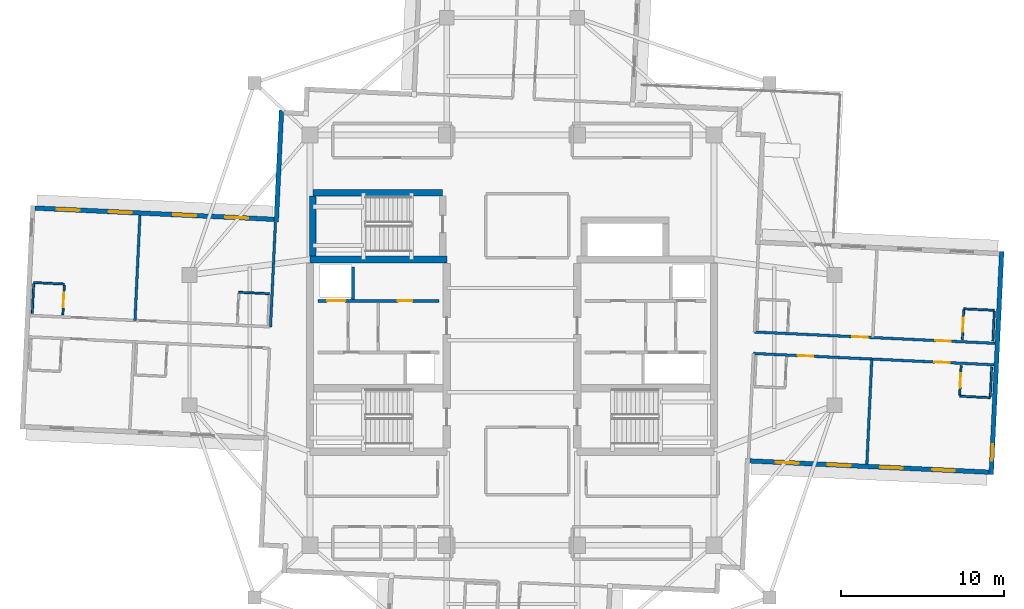
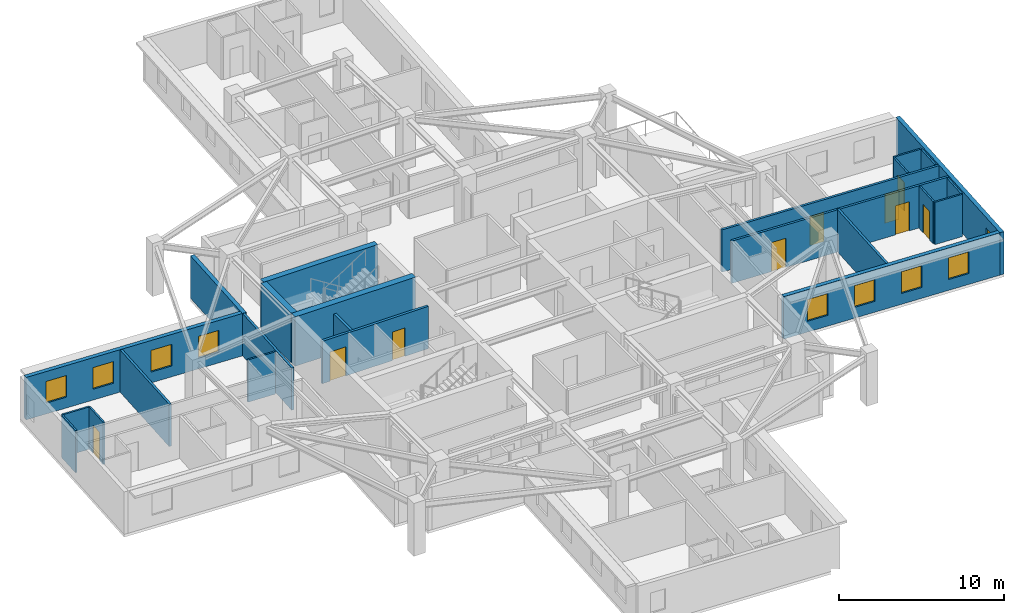
# One storey, part 6 of 13: 24 walls, 9 doors, 9 windows, 18 openings.
"""IFC4 building model written with IfcOpenShell, lengths in metres."""

from ifc_helpers import new_model, si_unit, direction, frame, frame_2d, origin, place, context, subcontext, project, spatial, rectangle, extrude, material, layer, layer_set, type_object, element, fill, save


model = new_model("IFC4")

# Units and contexts
model_context = context("Model", 3, precision=1e-05, world=origin(), true_north=direction((0.0, 1.0)))
body_context = subcontext(model_context, "Body", "Model", "MODEL_VIEW")
ifc_project = project(units=[si_unit("LENGTHUNIT", "METRE"), si_unit("AREAUNIT", "SQUARE_METRE"), si_unit("VOLUMEUNIT", "CUBIC_METRE"), si_unit("PLANEANGLEUNIT", "RADIAN"), si_unit("MASSUNIT", "GRAM", prefix="KILO")], contexts=[model_context])

# Site, building, storey
site_placement = place(None, origin())
site = spatial("IfcSite", under=ifc_project, at=site_placement, CompositionType="ELEMENT")
building_placement = place(site_placement, origin())
building = spatial("IfcBuilding", under=site, at=building_placement, Name="Qingluan Cross Belvedere", CompositionType="ELEMENT")
storey_placement = place(building_placement, frame((0.0, 0.0, 236.39990234375)))
storey = spatial("IfcBuildingStorey", under=building, at=storey_placement, Name="L59", CompositionType="ELEMENT", Elevation=236.39990234375)

# Walls
ifc_material_1 = material(Name="Concrete C50", Category="concrete")
ifc_layer_1 = layer(ifc_material_1, 0.449951171875, Name="CoreShearWall_450")
ifc_layer_set_1 = layer_set([ifc_layer_1], Name="Concrete C50")
wall_type_1 = type_object("IfcWallType", Name="CoreShearWall_450", PredefinedType="SHEAR", material=ifc_layer_set_1)
wall_1_placement = place(storey_placement, frame((-12.39990234375, 4.949951171875, 0.0), z_axis=(0.0, 0.0, 1.0), x_axis=(1.0, 0.0, 0.0)))
element("IfcWall", 1, at=wall_1_placement, inside=storey, type_object=wall_type_1, Name="Split core W shear wall L59-N", PredefinedType="SHEAR", context=body_context, shape_type="SweptSolid", body=[
    extrude(rectangle(XDim=8.39990234375, YDim=0.449951171875, at=frame_2d((4.199951171875, 0.0))), origin(), (0.0, 0.0, 1.0), 3.650146484375),
])
wall_2_placement = place(storey_placement, frame((-12.219970703125, 9.0400390625, 0.0), z_axis=(0.0, 0.0, 1.0), x_axis=(1.0, 0.0, 0.0)))
element("IfcWall", 2, at=wall_2_placement, inside=storey, type_object=wall_type_1, Name="Stair ST3 structural wall N L59", PredefinedType="SHEAR", context=body_context, shape_type="SweptSolid", body=[
    extrude(rectangle(XDim=7.9599609375, YDim=0.39990234375, at=frame_2d((3.97998046875, 0.0))), origin(), (0.0, 0.0, 1.0), 3.650146484375),
])
wall_3_placement = place(storey_placement, frame((-12.219970703125, 5.179931640625, 0.0), z_axis=(0.0, 0.0, 1.0), x_axis=(0.0, 1.0, 0.0)))
element("IfcWall", 3, at=wall_3_placement, inside=storey, type_object=wall_type_1, Name="Stair ST3 structural wall W L59", PredefinedType="SHEAR", context=body_context, shape_type="SweptSolid", body=[
    extrude(rectangle(XDim=3.655029296875, YDim=0.39990234375, at=frame_2d((1.82763671875, 0.0))), origin(), (0.0, 0.0, 1.0), 3.650146484375),
])

# Wall, openings, doors
ifc_material_2 = material(Name="Gypsum plasterboard on steel stud acoustic partition", Category="steel")
ifc_layer_2 = layer(ifc_material_2, 0.159912109375, Name="CorridorPartition_160")
ifc_layer_set_2 = layer_set([ifc_layer_2], Name="Gypsum plasterboard on steel stud acoustic partition")
wall_type_2 = type_object("IfcWallType", Name="CorridorPartition_160", PredefinedType="PARTITIONING", material=ifc_layer_set_2)
wall_4_placement = place(storey_placement, frame((14.889892578125, 0.4990234375, 0.0), z_axis=(0.0, 0.0, 1.0), x_axis=(0.99889000272, -0.04710374153, 0.0)))
wall_4 = element("IfcWall", 4, at=wall_4_placement, inside=storey, type_object=wall_type_2, Name="Partition L59:E:c0", PredefinedType="PARTITIONING", context=body_context, shape_type="SweptSolid", body=[
    extrude(rectangle(XDim=14.781982421875, YDim=0.159912109375, at=frame_2d((7.39111328125, 0.0))), origin(), (0.0, 0.0, 1.0), 3.1201171875),
])
opening_1_placement = place(wall_4_placement, frame((6.013916015625, 0.0, 0.0)))
opening_1 = element("IfcOpeningElement", 5, at=opening_1_placement, cuts=wall_4, Name="Opening GD-10", PredefinedType="OPENING", context=body_context, shape_type="SweptSolid", body=[
    extrude(rectangle(XDim=0.9599609375, YDim=2.14990234375, at=frame_2d((0.47998046875, 1.074951171875))), frame((0.0, 0.08984375, 0.0), z_axis=(0.0, -1.0, 0.0), x_axis=(1.0, 0.0, 0.0)), (0.0, 0.0, 1.0), 0.179931640625),
])
opening_2_placement = place(wall_4_placement, frame((11.115966796875, 0.0, 0.0)))
opening_2 = element("IfcOpeningElement", 6, at=opening_2_placement, cuts=wall_4, Name="Opening GD-10", PredefinedType="OPENING", context=body_context, shape_type="SweptSolid", body=[
    extrude(rectangle(XDim=0.9599609375, YDim=2.14990234375, at=frame_2d((0.47998046875, 1.074951171875))), frame((0.0, 0.08984375, 0.0), z_axis=(0.0, -1.0, 0.0), x_axis=(1.0, 0.0, 0.0)), (0.0, 0.0, 1.0), 0.179931640625),
])
ifc_material_3 = material(Name="Timber oak fire-rated acoustic guestroom door", Category="wood")
door_type_1 = type_object("IfcDoorType", Name="GuestEntryDoor_FD60", OperationType="NOTDEFINED", PredefinedType="DOOR", material=ifc_material_3)
door_1_placement = place(opening_1_placement, origin())
door_1 = element("IfcDoor", 7, at=door_1_placement, inside=storey, type_object=door_type_1, Name="Guest entry fire door 5901", OperationType="SINGLE_SWING_RIGHT", OverallHeight=2.14990234375, OverallWidth=0.9599609375, PredefinedType="DOOR", context=body_context, shape_type="SweptSolid", body=[
    extrude(rectangle(XDim=0.9599609375, YDim=2.14990234375, at=frame_2d((0.47998046875, 1.074951171875))), frame((0.0, 0.02490234375, 0.0), z_axis=(0.0, -1.0, 0.0), x_axis=(1.0, 0.0, 0.0)), (0.0, 0.0, 1.0), 0.050048828125),
])
fill(opening_1, door_1)
door_2_placement = place(opening_2_placement, origin())
door_2 = element("IfcDoor", 8, at=door_2_placement, inside=storey, type_object=door_type_1, Name="Guest entry fire door 5902", OperationType="SINGLE_SWING_RIGHT", OverallHeight=2.14990234375, OverallWidth=0.9599609375, PredefinedType="DOOR", context=body_context, shape_type="SweptSolid", body=[
    extrude(rectangle(XDim=0.9599609375, YDim=2.14990234375, at=frame_2d((0.47998046875, 1.074951171875))), frame((0.0, 0.02490234375, 0.0), z_axis=(0.0, -1.0, 0.0), x_axis=(1.0, 0.0, 0.0)), (0.0, 0.0, 1.0), 0.050048828125),
])
fill(opening_2, door_2)

wall_5_placement = place(storey_placement, frame((14.827880859375, -0.8193359375, 0.0), z_axis=(0.0, 0.0, 1.0), x_axis=(0.99889000272, -0.04710374153, 0.0)))
wall_5 = element("IfcWall", 9, at=wall_5_placement, inside=storey, type_object=wall_type_2, Name="Partition L59:E:c1", PredefinedType="PARTITIONING", context=body_context, shape_type="SweptSolid", body=[
    extrude(rectangle(XDim=14.781982421875, YDim=0.159912109375, at=frame_2d((7.39111328125, 0.0))), origin(), (0.0, 0.0, 1.0), 3.1201171875),
])
opening_3_placement = place(wall_5_placement, frame((2.70703125, 0.0, 0.0)))
opening_3 = element("IfcOpeningElement", 10, at=opening_3_placement, cuts=wall_5, Name="Opening GD-10", PredefinedType="OPENING", context=body_context, shape_type="SweptSolid", body=[
    extrude(rectangle(XDim=0.9599609375, YDim=2.14990234375, at=frame_2d((0.47998046875, 1.074951171875))), frame((0.0, 0.08984375, 0.0), z_axis=(0.0, -1.0, 0.0), x_axis=(1.0, 0.0, 0.0)), (0.0, 0.0, 1.0), 0.179931640625),
])
opening_4_placement = place(wall_5_placement, frame((11.115966796875, 0.0, 0.0)))
opening_4 = element("IfcOpeningElement", 11, at=opening_4_placement, cuts=wall_5, Name="Opening GD-10", PredefinedType="OPENING", context=body_context, shape_type="SweptSolid", body=[
    extrude(rectangle(XDim=0.9599609375, YDim=2.14990234375, at=frame_2d((0.47998046875, 1.074951171875))), frame((0.0, 0.08984375, 0.0), z_axis=(0.0, -1.0, 0.0), x_axis=(1.0, 0.0, 0.0)), (0.0, 0.0, 1.0), 0.179931640625),
])
door_3_placement = place(opening_3_placement, origin())
door_3 = element("IfcDoor", 12, at=door_3_placement, inside=storey, type_object=door_type_1, Name="Guest entry fire door 5903", OperationType="SINGLE_SWING_RIGHT", OverallHeight=2.14990234375, OverallWidth=0.9599609375, PredefinedType="DOOR", context=body_context, shape_type="SweptSolid", body=[
    extrude(rectangle(XDim=0.9599609375, YDim=2.14990234375, at=frame_2d((0.47998046875, 1.074951171875))), frame((0.0, 0.02490234375, 0.0), z_axis=(0.0, -1.0, 0.0), x_axis=(1.0, 0.0, 0.0)), (0.0, 0.0, 1.0), 0.050048828125),
])
fill(opening_3, door_3)
door_4_placement = place(opening_4_placement, origin())
door_4 = element("IfcDoor", 13, at=door_4_placement, inside=storey, type_object=door_type_1, Name="Guest entry fire door 5904", OperationType="SINGLE_SWING_RIGHT", OverallHeight=2.14990234375, OverallWidth=0.9599609375, PredefinedType="DOOR", context=body_context, shape_type="SweptSolid", body=[
    extrude(rectangle(XDim=0.9599609375, YDim=2.14990234375, at=frame_2d((0.47998046875, 1.074951171875))), frame((0.0, 0.02490234375, 0.0), z_axis=(0.0, -1.0, 0.0), x_axis=(1.0, 0.0, 0.0)), (0.0, 0.0, 1.0), 0.050048828125),
])
fill(opening_4, door_4)

# Walls
wall_6_placement = place(storey_placement, frame((22.09375, -1.162109375, 0.0), z_axis=(0.0, 0.0, 1.0), x_axis=(-0.047110298825, -0.998889693482, 0.0)))
element("IfcWall", 14, at=wall_6_placement, inside=storey, type_object=wall_type_2, Name="Partition L59:E:d1_0", PredefinedType="PARTITIONING", context=body_context, shape_type="SweptSolid", body=[
    extrude(rectangle(XDim=6.451904296875, YDim=0.159912109375, at=frame_2d((3.22607421875, 0.0))), origin(), (0.0, 0.0, 1.0), 3.1201171875),
])
wall_7_placement = place(storey_placement, frame((-14.827880859375, 0.8193359375, 0.0), z_axis=(0.0, 0.0, 1.0), x_axis=(0.047108518237, 0.998889777458, 0.0)))
element("IfcWall", 15, at=wall_7_placement, inside=storey, type_object=wall_type_2, Name="Partition L59:W:s0", PredefinedType="PARTITIONING", context=body_context, shape_type="SweptSolid", body=[
    extrude(rectangle(XDim=6.4521484375, YDim=0.159912109375, at=frame_2d((3.22607421875, 0.0))), origin(), (0.0, 0.0, 1.0), 3.1201171875),
])
wall_8_placement = place(storey_placement, frame((-23.149658203125, 1.2119140625, 0.0), z_axis=(0.0, 0.0, 1.0), x_axis=(0.047110298825, 0.998889693482, 0.0)))
element("IfcWall", 16, at=wall_8_placement, inside=storey, type_object=wall_type_2, Name="Partition L59:W:d0_0", PredefinedType="PARTITIONING", context=body_context, shape_type="SweptSolid", body=[
    extrude(rectangle(XDim=6.451904296875, YDim=0.159912109375, at=frame_2d((3.22607421875, 0.0))), origin(), (0.0, 0.0, 1.0), 3.1201171875),
])

# Wall, opening, door
ifc_material_4 = material(Name="Moisture-resistant gypsum board lining")
ifc_layer_3 = layer(ifc_material_4, 0.1201171875, Name="EnsuiteWetPartition_120")
ifc_layer_set_3 = layer_set([ifc_layer_3], Name="Moisture-resistant gypsum board lining")
wall_type_3 = type_object("IfcWallType", Name="EnsuiteWetPartition_120", PredefinedType="PARTITIONING", material=ifc_layer_set_3)
wall_9_placement = place(storey_placement, frame((27.652587890625, 0.037353515625, 0.0), z_axis=(0.0, 0.0, 1.0), x_axis=(0.047080807099, 0.998891083954, 0.0)))
wall_9 = element("IfcWall", 17, at=wall_9_placement, inside=storey, type_object=wall_type_3, Name="Partition L59:E:bs0_1", PredefinedType="PARTITIONING", context=body_context, shape_type="SweptSolid", body=[
    extrude(rectangle(XDim=1.820068359375, YDim=0.1201171875, at=frame_2d((0.91015625, 0.0))), origin(), (0.0, 0.0, 1.0), 3.1201171875),
])
opening_5_placement = place(wall_9_placement, frame((0.469970703125, 0.0, 0.0)))
opening_5 = element("IfcOpeningElement", 18, at=opening_5_placement, cuts=wall_9, Name="Opening BD-09", PredefinedType="OPENING", context=body_context, shape_type="SweptSolid", body=[
    extrude(rectangle(XDim=0.8798828125, YDim=2.10009765625, at=frame_2d((0.43994140625, 1.050048828125))), frame((0.0, 0.070068359375, 0.0), z_axis=(0.0, -1.0, 0.0), x_axis=(1.0, 0.0, 0.0)), (0.0, 0.0, 1.0), 0.14013671875),
])
ifc_material_5 = material(Name="Moisture-sealed timber en-suite door", Category="wood")
door_type_2 = type_object("IfcDoorType", Name="BathroomDoor_880", OperationType="NOTDEFINED", PredefinedType="DOOR", material=ifc_material_5)
door_5_placement = place(opening_5_placement, origin())
door_5 = element("IfcDoor", 19, at=door_5_placement, inside=storey, type_object=door_type_2, Name="Bathroom door 5902", OperationType="SINGLE_SWING_LEFT", OverallHeight=2.10009765625, OverallWidth=0.8798828125, PredefinedType="DOOR", context=body_context, shape_type="SweptSolid", body=[
    extrude(rectangle(XDim=0.8798828125, YDim=2.10009765625, at=frame_2d((0.43994140625, 1.050048828125))), frame((0.0, 0.02490234375, 0.0), z_axis=(0.0, -1.0, 0.0), x_axis=(1.0, 0.0, 0.0)), (0.0, 0.0, 1.0), 0.050048828125),
])
fill(opening_5, door_5)

# Walls
wall_10_placement = place(storey_placement, frame((29.530517578125, -0.051025390625, 0.0), z_axis=(0.0, 0.0, 1.0), x_axis=(0.047087116047, 0.998890786574, 0.0)))
element("IfcWall", 20, at=wall_10_placement, inside=storey, type_object=wall_type_3, Name="Partition L59:E:bw0_1", PredefinedType="PARTITIONING", context=body_context, shape_type="SweptSolid", body=[
    extrude(rectangle(XDim=1.81982421875, YDim=0.1201171875, at=frame_2d((0.909912109375, 0.0))), origin(), (0.0, 0.0, 1.0), 3.1201171875),
])
wall_11_placement = place(storey_placement, frame((27.7412109375, 1.92041015625, 0.0), z_axis=(0.0, 0.0, 1.0), x_axis=(0.998888319371, -0.047139425368, 0.0)))
element("IfcWall", 21, at=wall_11_placement, inside=storey, type_object=wall_type_3, Name="Partition L59:E:bn0_1", PredefinedType="PARTITIONING", context=body_context, shape_type="SweptSolid", body=[
    extrude(rectangle(XDim=1.880126953125, YDim=0.1201171875, at=frame_2d((0.93994140625, 0.0))), origin(), (0.0, 0.0, 1.0), 3.1201171875),
])

# Wall, opening, door
wall_12_placement = place(storey_placement, frame((27.491455078125, -3.37890625, 0.0), z_axis=(0.0, 0.0, 1.0), x_axis=(0.047080807099, 0.998891083954, 0.0)))
wall_12 = element("IfcWall", 22, at=wall_12_placement, inside=storey, type_object=wall_type_3, Name="Partition L59:E:bs1_1", PredefinedType="PARTITIONING", context=body_context, shape_type="SweptSolid", body=[
    extrude(rectangle(XDim=1.820068359375, YDim=0.1201171875, at=frame_2d((0.91015625, 0.0))), origin(), (0.0, 0.0, 1.0), 3.1201171875),
])
opening_6_placement = place(wall_12_placement, frame((0.469970703125, 0.0, 0.0)))
opening_6 = element("IfcOpeningElement", 23, at=opening_6_placement, cuts=wall_12, Name="Opening BD-09", PredefinedType="OPENING", context=body_context, shape_type="SweptSolid", body=[
    extrude(rectangle(XDim=0.8798828125, YDim=2.10009765625, at=frame_2d((0.43994140625, 1.050048828125))), frame((0.0, 0.070068359375, 0.0), z_axis=(0.0, -1.0, 0.0), x_axis=(1.0, 0.0, 0.0)), (0.0, 0.0, 1.0), 0.14013671875),
])
door_6_placement = place(opening_6_placement, origin())
door_6 = element("IfcDoor", 24, at=door_6_placement, inside=storey, type_object=door_type_2, Name="Bathroom door 5904", OperationType="SINGLE_SWING_LEFT", OverallHeight=2.10009765625, OverallWidth=0.8798828125, PredefinedType="DOOR", context=body_context, shape_type="SweptSolid", body=[
    extrude(rectangle(XDim=0.8798828125, YDim=2.10009765625, at=frame_2d((0.43994140625, 1.050048828125))), frame((0.0, 0.02490234375, 0.0), z_axis=(0.0, -1.0, 0.0), x_axis=(1.0, 0.0, 0.0)), (0.0, 0.0, 1.0), 0.050048828125),
])
fill(opening_6, door_6)

# Walls
wall_13_placement = place(storey_placement, frame((29.369384765625, -3.46728515625, 0.0), z_axis=(0.0, 0.0, 1.0), x_axis=(0.047087116047, 0.998890786574, 0.0)))
element("IfcWall", 25, at=wall_13_placement, inside=storey, type_object=wall_type_3, Name="Partition L59:E:bw1_1", PredefinedType="PARTITIONING", context=body_context, shape_type="SweptSolid", body=[
    extrude(rectangle(XDim=1.81982421875, YDim=0.1201171875, at=frame_2d((0.909912109375, 0.0))), origin(), (0.0, 0.0, 1.0), 3.1201171875),
])
for number, where, z_axis, x_axis, name in (
    (26, (27.48828125, -3.443603515625, 0.0), (0.0, 0.0, 1.0), (0.998888319371, -0.047139425368, 0.0), "Partition L59:E:bc1_1"),
    (27, (-14.892333984375, 2.849609375, 0.0), (0.0, 0.0, 1.0), (-0.998888319371, 0.047139425368, 0.0), "Partition L59:W:bn0_0"),
):
    element("IfcWall", number, at=place(storey_placement, frame(where, z_axis=z_axis, x_axis=x_axis)), inside=storey, type_object=wall_type_3, Name=name, PredefinedType="PARTITIONING", context=body_context, shape_type="SweptSolid", body=[
        extrude(rectangle(XDim=1.880126953125, YDim=0.1201171875, at=frame_2d((0.93994140625, 0.0))), origin(), (0.0, 0.0, 1.0), 3.1201171875),
    ])

# Wall, opening, door
wall_14_placement = place(storey_placement, frame((-27.5771484375, 1.560791015625, 0.0), z_axis=(0.0, 0.0, 1.0), x_axis=(0.047080807099, 0.998891083954, 0.0)))
wall_14 = element("IfcWall", 28, at=wall_14_placement, inside=storey, type_object=wall_type_3, Name="Partition L59:W:bs0_1", PredefinedType="PARTITIONING", context=body_context, shape_type="SweptSolid", body=[
    extrude(rectangle(XDim=1.820068359375, YDim=0.1201171875, at=frame_2d((0.91015625, 0.0))), origin(), (0.0, 0.0, 1.0), 3.1201171875),
])
opening_7_placement = place(wall_14_placement, frame((0.469970703125, 0.0, 0.0)))
opening_7 = element("IfcOpeningElement", 29, at=opening_7_placement, cuts=wall_14, Name="Opening BD-09", PredefinedType="OPENING", context=body_context, shape_type="SweptSolid", body=[
    extrude(rectangle(XDim=0.8798828125, YDim=2.10009765625, at=frame_2d((0.43994140625, 1.050048828125))), frame((0.0, 0.070068359375, 0.0), z_axis=(0.0, -1.0, 0.0), x_axis=(1.0, 0.0, 0.0)), (0.0, 0.0, 1.0), 0.14013671875),
])
door_7_placement = place(opening_7_placement, origin())
door_7 = element("IfcDoor", 30, at=door_7_placement, inside=storey, type_object=door_type_2, Name="Bathroom door 5906", OperationType="SINGLE_SWING_LEFT", OverallHeight=2.10009765625, OverallWidth=0.8798828125, PredefinedType="DOOR", context=body_context, shape_type="SweptSolid", body=[
    extrude(rectangle(XDim=0.8798828125, YDim=2.10009765625, at=frame_2d((0.43994140625, 1.050048828125))), frame((0.0, 0.02490234375, 0.0), z_axis=(0.0, -1.0, 0.0), x_axis=(1.0, 0.0, 0.0)), (0.0, 0.0, 1.0), 0.050048828125),
])
fill(opening_7, door_7)

# Walls
wall_15_placement = place(storey_placement, frame((-29.455078125, 1.6494140625, 0.0), z_axis=(0.0, 0.0, 1.0), x_axis=(0.047087116047, 0.998890786574, 0.0)))
element("IfcWall", 31, at=wall_15_placement, inside=storey, type_object=wall_type_3, Name="Partition L59:W:bw0_1", PredefinedType="PARTITIONING", context=body_context, shape_type="SweptSolid", body=[
    extrude(rectangle(XDim=1.81982421875, YDim=0.1201171875, at=frame_2d((0.909912109375, 0.0))), origin(), (0.0, 0.0, 1.0), 3.1201171875),
])
wall_16_placement = place(storey_placement, frame((-27.48828125, 3.443603515625, 0.0), z_axis=(0.0, 0.0, 1.0), x_axis=(-0.998888319371, 0.047139425368, 0.0)))
element("IfcWall", 32, at=wall_16_placement, inside=storey, type_object=wall_type_3, Name="Partition L59:W:bn0_1", PredefinedType="PARTITIONING", context=body_context, shape_type="SweptSolid", body=[
    extrude(rectangle(XDim=1.880126953125, YDim=0.1201171875, at=frame_2d((0.93994140625, 0.0))), origin(), (0.0, 0.0, 1.0), 3.1201171875),
])

# Wall, openings, windows
ifc_material_6 = material(Name="Precast concrete C45", Category="concrete")
ifc_layer_4 = layer(ifc_material_6, 0.280029296875, Name="PrecastFacadeWall_280")
ifc_layer_set_4 = layer_set([ifc_layer_4], Name="Precast concrete C45")
wall_type_4 = type_object("IfcWallType", Name="PrecastFacadeWall_280", PredefinedType="STANDARD", material=ifc_layer_set_4)
wall_17_placement = place(storey_placement, frame((14.60693359375, -7.416259765625, 0.0), z_axis=(0.0, 0.0, 1.0), x_axis=(0.998889342735, -0.047117735191, 0.0)))
wall_17 = element("IfcWall", 33, at=wall_17_placement, inside=storey, type_object=wall_type_4, Name="Facade wall L59-EA", PredefinedType="STANDARD", context=body_context, shape_type="SweptSolid", body=[
    extrude(rectangle(XDim=14.699951171875, YDim=0.280029296875, at=frame_2d((7.35009765625, 0.0))), origin(), (0.0, 0.0, 1.0), 3.130126953125),
])
opening_8_placement = place(wall_17_placement, frame((1.60009765625, 0.0, 0.800048828125)))
opening_8 = element("IfcOpeningElement", 34, at=opening_8_placement, cuts=wall_17, Name="Opening W-01", PredefinedType="OPENING", context=body_context, shape_type="SweptSolid", body=[
    extrude(rectangle(XDim=1.39990234375, YDim=1.60009765625, at=frame_2d((0.699951171875, 0.800048828125))), frame((0.0, 0.14990234375, 0.0), z_axis=(0.0, -1.0, 0.0), x_axis=(1.0, 0.0, 0.0)), (0.0, 0.0, 1.0), 0.300048828125),
])
opening_9_placement = place(wall_17_placement, frame((4.800048828125, 0.0, 0.800048828125)))
opening_9 = element("IfcOpeningElement", 35, at=opening_9_placement, cuts=wall_17, Name="Opening W-01", PredefinedType="OPENING", context=body_context, shape_type="SweptSolid", body=[
    extrude(rectangle(XDim=1.39990234375, YDim=1.60009765625, at=frame_2d((0.699951171875, 0.800048828125))), frame((0.0, 0.14990234375, 0.0), z_axis=(0.0, -1.0, 0.0), x_axis=(1.0, 0.0, 0.0)), (0.0, 0.0, 1.0), 0.300048828125),
])
opening_10_placement = place(wall_17_placement, frame((8.0, 0.0, 0.800048828125)))
opening_10 = element("IfcOpeningElement", 36, at=opening_10_placement, cuts=wall_17, Name="Opening W-01", PredefinedType="OPENING", context=body_context, shape_type="SweptSolid", body=[
    extrude(rectangle(XDim=1.39990234375, YDim=1.60009765625, at=frame_2d((0.699951171875, 0.800048828125))), frame((0.0, 0.14990234375, 0.0), z_axis=(0.0, -1.0, 0.0), x_axis=(1.0, 0.0, 0.0)), (0.0, 0.0, 1.0), 0.300048828125),
])
opening_11_placement = place(wall_17_placement, frame((11.199951171875, 0.0, 0.800048828125)))
opening_11 = element("IfcOpeningElement", 37, at=opening_11_placement, cuts=wall_17, Name="Opening W-01", PredefinedType="OPENING", context=body_context, shape_type="SweptSolid", body=[
    extrude(rectangle(XDim=1.39990234375, YDim=1.60009765625, at=frame_2d((0.699951171875, 0.800048828125))), frame((0.0, 0.14990234375, 0.0), z_axis=(0.0, -1.0, 0.0), x_axis=(1.0, 0.0, 0.0)), (0.0, 0.0, 1.0), 0.300048828125),
])
ifc_material_7 = material(Name="Thermally broken triple Low-E glass in aluminium frame", Category="aluminium")
window_type_1 = type_object("IfcWindowType", Name="TriRibbonWin_1400x1600", PartitioningType="SINGLE_PANEL", PredefinedType="WINDOW", material=ifc_material_7)
window_1_placement = place(opening_8_placement, origin())
window_1 = element("IfcWindow", 38, at=window_1_placement, inside=storey, type_object=window_type_1, Name="Ribbon window L59-EA-1", OverallHeight=1.60009765625, OverallWidth=1.39990234375, PartitioningType="SINGLE_PANEL", PredefinedType="WINDOW", context=body_context, shape_type="SweptSolid", body=[
    extrude(rectangle(XDim=1.39990234375, YDim=1.60009765625, at=frame_2d((0.699951171875, 0.800048828125))), frame((0.0, 0.030029296875, 0.0), z_axis=(0.0, -1.0, 0.0), x_axis=(1.0, 0.0, 0.0)), (0.0, 0.0, 1.0), 0.06005859375),
])
fill(opening_8, window_1)
window_2_placement = place(opening_9_placement, origin())
window_2 = element("IfcWindow", 39, at=window_2_placement, inside=storey, type_object=window_type_1, Name="Ribbon window L59-EA-2", OverallHeight=1.60009765625, OverallWidth=1.39990234375, PartitioningType="SINGLE_PANEL", PredefinedType="WINDOW", context=body_context, shape_type="SweptSolid", body=[
    extrude(rectangle(XDim=1.39990234375, YDim=1.60009765625, at=frame_2d((0.699951171875, 0.800048828125))), frame((0.0, 0.030029296875, 0.0), z_axis=(0.0, -1.0, 0.0), x_axis=(1.0, 0.0, 0.0)), (0.0, 0.0, 1.0), 0.06005859375),
])
fill(opening_9, window_2)
window_3_placement = place(opening_10_placement, origin())
window_3 = element("IfcWindow", 40, at=window_3_placement, inside=storey, type_object=window_type_1, Name="Ribbon window L59-EA-3", OverallHeight=1.60009765625, OverallWidth=1.39990234375, PartitioningType="SINGLE_PANEL", PredefinedType="WINDOW", context=body_context, shape_type="SweptSolid", body=[
    extrude(rectangle(XDim=1.39990234375, YDim=1.60009765625, at=frame_2d((0.699951171875, 0.800048828125))), frame((0.0, 0.030029296875, 0.0), z_axis=(0.0, -1.0, 0.0), x_axis=(1.0, 0.0, 0.0)), (0.0, 0.0, 1.0), 0.06005859375),
])
fill(opening_10, window_3)
window_4_placement = place(opening_11_placement, origin())
window_4 = element("IfcWindow", 41, at=window_4_placement, inside=storey, type_object=window_type_1, Name="Ribbon window L59-EA-4", OverallHeight=1.60009765625, OverallWidth=1.39990234375, PartitioningType="SINGLE_PANEL", PredefinedType="WINDOW", context=body_context, shape_type="SweptSolid", body=[
    extrude(rectangle(XDim=1.39990234375, YDim=1.60009765625, at=frame_2d((0.699951171875, 0.800048828125))), frame((0.0, 0.030029296875, 0.0), z_axis=(0.0, -1.0, 0.0), x_axis=(1.0, 0.0, 0.0)), (0.0, 0.0, 1.0), 0.06005859375),
])
fill(opening_11, window_4)

# Wall, opening, window
wall_18_placement = place(storey_placement, frame((29.423828125, -8.255126953125, 0.0), z_axis=(0.0, 0.0, 1.0), x_axis=(0.047101845086, 0.998890092147, 0.0)))
wall_18 = element("IfcWall", 42, at=wall_18_placement, inside=storey, type_object=wall_type_4, Name="Arm tip precast facade wall L59-E", PredefinedType="STANDARD", context=body_context, shape_type="SweptSolid", body=[
    extrude(rectangle(XDim=13.719970703125, YDim=0.280029296875, at=frame_2d((6.85986328125, 0.0))), origin(), (0.0, 0.0, 1.0), 3.130126953125),
])
opening_12_placement = place(wall_18_placement, frame((0.85009765625, 0.0, 0.85009765625)))
opening_12 = element("IfcOpeningElement", 43, at=opening_12_placement, cuts=wall_18, Name="Opening W-03", PredefinedType="OPENING", context=body_context, shape_type="SweptSolid", body=[
    extrude(rectangle(XDim=1.0, YDim=1.5, at=frame_2d((0.5, 0.75))), frame((0.0, 0.14990234375, 0.0), z_axis=(0.0, -1.0, 0.0), x_axis=(1.0, 0.0, 0.0)), (0.0, 0.0, 1.0), 0.300048828125),
])
ifc_material_8 = material(Name="Thermally broken triple Low-E glass in aluminium frame", Category="aluminium")
window_type_2 = type_object("IfcWindowType", Name="TriApexWin_1000x1500", PartitioningType="SINGLE_PANEL", PredefinedType="WINDOW", material=ifc_material_8)
window_5_placement = place(opening_12_placement, origin())
window_5 = element("IfcWindow", 44, at=window_5_placement, inside=storey, type_object=window_type_2, Name="Arm tip triangular window L59-E", OverallHeight=1.5, OverallWidth=1.0, PartitioningType="SINGLE_PANEL", PredefinedType="WINDOW", context=body_context, shape_type="SweptSolid", body=[
    extrude(rectangle(XDim=1.0, YDim=1.5, at=frame_2d((0.5, 0.75))), frame((0.0, 0.030029296875, 0.0), z_axis=(0.0, -1.0, 0.0), x_axis=(1.0, 0.0, 0.0)), (0.0, 0.0, 1.0), 0.06005859375),
])
fill(opening_12, window_5)

# Wall, openings, windows
wall_19_placement = place(storey_placement, frame((-14.60693359375, 7.416259765625, 0.0), z_axis=(0.0, 0.0, 1.0), x_axis=(-0.998889342735, 0.047117735191, 0.0)))
wall_19 = element("IfcWall", 45, at=wall_19_placement, inside=storey, type_object=wall_type_4, Name="Facade wall L59-WA", PredefinedType="STANDARD", context=body_context, shape_type="SweptSolid", body=[
    extrude(rectangle(XDim=14.699951171875, YDim=0.280029296875, at=frame_2d((7.35009765625, 0.0))), origin(), (0.0, 0.0, 1.0), 3.130126953125),
])
opening_13_placement = place(wall_19_placement, frame((1.60009765625, 0.0, 0.800048828125)))
opening_13 = element("IfcOpeningElement", 46, at=opening_13_placement, cuts=wall_19, Name="Opening W-01", PredefinedType="OPENING", context=body_context, shape_type="SweptSolid", body=[
    extrude(rectangle(XDim=1.39990234375, YDim=1.60009765625, at=frame_2d((0.699951171875, 0.800048828125))), frame((0.0, 0.14990234375, 0.0), z_axis=(0.0, -1.0, 0.0), x_axis=(1.0, 0.0, 0.0)), (0.0, 0.0, 1.0), 0.300048828125),
])
opening_14_placement = place(wall_19_placement, frame((4.800048828125, 0.0, 0.800048828125)))
opening_14 = element("IfcOpeningElement", 47, at=opening_14_placement, cuts=wall_19, Name="Opening W-01", PredefinedType="OPENING", context=body_context, shape_type="SweptSolid", body=[
    extrude(rectangle(XDim=1.39990234375, YDim=1.60009765625, at=frame_2d((0.699951171875, 0.800048828125))), frame((0.0, 0.14990234375, 0.0), z_axis=(0.0, -1.0, 0.0), x_axis=(1.0, 0.0, 0.0)), (0.0, 0.0, 1.0), 0.300048828125),
])
opening_15_placement = place(wall_19_placement, frame((8.75, 0.0, 0.800048828125)))
opening_15 = element("IfcOpeningElement", 48, at=opening_15_placement, cuts=wall_19, Name="Opening W-01", PredefinedType="OPENING", context=body_context, shape_type="SweptSolid", body=[
    extrude(rectangle(XDim=1.39990234375, YDim=1.60009765625, at=frame_2d((0.699951171875, 0.800048828125))), frame((0.0, 0.14990234375, 0.0), z_axis=(0.0, -1.0, 0.0), x_axis=(1.0, 0.0, 0.0)), (0.0, 0.0, 1.0), 0.300048828125),
])
opening_16_placement = place(wall_19_placement, frame((11.949951171875, 0.0, 0.800048828125)))
opening_16 = element("IfcOpeningElement", 49, at=opening_16_placement, cuts=wall_19, Name="Opening W-01", PredefinedType="OPENING", context=body_context, shape_type="SweptSolid", body=[
    extrude(rectangle(XDim=1.39990234375, YDim=1.60009765625, at=frame_2d((0.699951171875, 0.800048828125))), frame((0.0, 0.14990234375, 0.0), z_axis=(0.0, -1.0, 0.0), x_axis=(1.0, 0.0, 0.0)), (0.0, 0.0, 1.0), 0.300048828125),
])
window_6_placement = place(opening_13_placement, origin())
window_6 = element("IfcWindow", 50, at=window_6_placement, inside=storey, type_object=window_type_1, Name="Ribbon window L59-WA-1", OverallHeight=1.60009765625, OverallWidth=1.39990234375, PartitioningType="SINGLE_PANEL", PredefinedType="WINDOW", context=body_context, shape_type="SweptSolid", body=[
    extrude(rectangle(XDim=1.39990234375, YDim=1.60009765625, at=frame_2d((0.699951171875, 0.800048828125))), frame((0.0, 0.030029296875, 0.0), z_axis=(0.0, -1.0, 0.0), x_axis=(1.0, 0.0, 0.0)), (0.0, 0.0, 1.0), 0.06005859375),
])
fill(opening_13, window_6)
window_7_placement = place(opening_14_placement, origin())
window_7 = element("IfcWindow", 51, at=window_7_placement, inside=storey, type_object=window_type_1, Name="Ribbon window L59-WA-2", OverallHeight=1.60009765625, OverallWidth=1.39990234375, PartitioningType="SINGLE_PANEL", PredefinedType="WINDOW", context=body_context, shape_type="SweptSolid", body=[
    extrude(rectangle(XDim=1.39990234375, YDim=1.60009765625, at=frame_2d((0.699951171875, 0.800048828125))), frame((0.0, 0.030029296875, 0.0), z_axis=(0.0, -1.0, 0.0), x_axis=(1.0, 0.0, 0.0)), (0.0, 0.0, 1.0), 0.06005859375),
])
fill(opening_14, window_7)
window_8_placement = place(opening_15_placement, origin())
window_8 = element("IfcWindow", 52, at=window_8_placement, inside=storey, type_object=window_type_1, Name="Ribbon window L59-WA-3", OverallHeight=1.60009765625, OverallWidth=1.39990234375, PartitioningType="SINGLE_PANEL", PredefinedType="WINDOW", context=body_context, shape_type="SweptSolid", body=[
    extrude(rectangle(XDim=1.39990234375, YDim=1.60009765625, at=frame_2d((0.699951171875, 0.800048828125))), frame((0.0, 0.030029296875, 0.0), z_axis=(0.0, -1.0, 0.0), x_axis=(1.0, 0.0, 0.0)), (0.0, 0.0, 1.0), 0.06005859375),
])
fill(opening_15, window_8)
window_9_placement = place(opening_16_placement, origin())
window_9 = element("IfcWindow", 53, at=window_9_placement, inside=storey, type_object=window_type_1, Name="Ribbon window L59-WA-4", OverallHeight=1.60009765625, OverallWidth=1.39990234375, PartitioningType="SINGLE_PANEL", PredefinedType="WINDOW", context=body_context, shape_type="SweptSolid", body=[
    extrude(rectangle(XDim=1.39990234375, YDim=1.60009765625, at=frame_2d((0.699951171875, 0.800048828125))), frame((0.0, 0.030029296875, 0.0), z_axis=(0.0, -1.0, 0.0), x_axis=(1.0, 0.0, 0.0)), (0.0, 0.0, 1.0), 0.06005859375),
])
fill(opening_16, window_9)

# Wall
wall_20_placement = place(storey_placement, frame((-14.4736328125, 7.27001953125, 0.0), z_axis=(0.0, 0.0, 1.0), x_axis=(0.04712043756, 0.998889215261, 0.0)))
element("IfcWall", 54, at=wall_20_placement, inside=storey, type_object=wall_type_4, Name="Corner wall L59-NW1", PredefinedType="STANDARD", context=body_context, shape_type="SweptSolid", body=[
    extrude(rectangle(XDim=6.85986328125, YDim=0.280029296875, at=frame_2d((3.429931640625, 0.0))), origin(), (0.0, 0.0, 1.0), 3.130126953125),
])

# Wall, openings, doors
ifc_material_9 = material(Name="Concrete C40", Category="concrete")
ifc_layer_5 = layer(ifc_material_9, 0.219970703125, Name="ShaftEnclosureWall_250")
ifc_layer_set_5 = layer_set([ifc_layer_5], Name="Concrete C40")
wall_type_5 = type_object("IfcWallType", Name="ShaftEnclosureWall_250", PredefinedType="SOLIDWALL", material=ifc_layer_set_5)
wall_21_placement = place(storey_placement, frame((-11.89990234375, 2.409912109375, 0.0), z_axis=(0.0, 0.0, 1.0), x_axis=(1.0, 0.0, 0.0)))
wall_21 = element("IfcWall", 55, at=wall_21_placement, inside=storey, type_object=wall_type_5, Name="Core-W north hoistway wall L59", PredefinedType="SOLIDWALL", context=body_context, shape_type="SweptSolid", body=[
    extrude(rectangle(XDim=7.419921875, YDim=0.179931640625, at=frame_2d((3.7099609375, 0.0))), origin(), (0.0, 0.0, 1.0), 3.1201171875),
])
opening_17_placement = place(wall_21_placement, frame((0.550048828125, 0.0, 0.0)))
opening_17 = element("IfcOpeningElement", 56, at=opening_17_placement, cuts=wall_21, Name="Opening LD-11", PredefinedType="OPENING", context=body_context, shape_type="SweptSolid", body=[
    extrude(rectangle(XDim=1.10009765625, YDim=2.14990234375, at=frame_2d((0.550048828125, 1.074951171875))), frame((0.0, 0.099853515625, 0.0), z_axis=(0.0, -1.0, 0.0), x_axis=(1.0, 0.0, 0.0)), (0.0, 0.0, 1.0), 0.199951171875),
])
opening_18_placement = place(wall_21_placement, frame((4.89990234375, 0.0, 0.0)))
opening_18 = element("IfcOpeningElement", 57, at=opening_18_placement, cuts=wall_21, Name="Opening FD-B10", PredefinedType="OPENING", context=body_context, shape_type="SweptSolid", body=[
    extrude(rectangle(XDim=0.8798828125, YDim=2.10009765625, at=frame_2d((0.43994140625, 1.050048828125))), frame((0.0, 0.099853515625, 0.0), z_axis=(0.0, -1.0, 0.0), x_axis=(1.0, 0.0, 0.0)), (0.0, 0.0, 1.0), 0.199951171875),
])
ifc_material_10 = material(Name="Brushed stainless steel centre-opening lift landing door", Category="steel")
door_type_3 = type_object("IfcDoorType", Name="LiftLandingSlidingDoor_1100", OperationType="DOUBLE_DOOR_SLIDING", PredefinedType="DOOR", material=ifc_material_10)
door_8_placement = place(opening_17_placement, origin())
door_8 = element("IfcDoor", 58, at=door_8_placement, inside=storey, type_object=door_type_3, Name="Lift landing sliding door FL1 L59", OperationType="DOUBLE_DOOR_SLIDING", OverallHeight=2.14990234375, OverallWidth=1.10009765625, PredefinedType="DOOR", context=body_context, shape_type="SweptSolid", body=[
    extrude(rectangle(XDim=1.10009765625, YDim=2.14990234375, at=frame_2d((0.550048828125, 1.074951171875))), frame((0.0, 0.02490234375, 0.0), z_axis=(0.0, -1.0, 0.0), x_axis=(1.0, 0.0, 0.0)), (0.0, 0.0, 1.0), 0.050048828125),
])
fill(opening_17, door_8)
ifc_material_11 = material(Name="Steel Class B service fire door", Category="steel")
door_type_4 = type_object("IfcDoorType", Name="RiserServiceFireDoor_FDB", OperationType="NOTDEFINED", PredefinedType="DOOR", material=ifc_material_11)
door_9_placement = place(opening_18_placement, origin())
door_9 = element("IfcDoor", 59, at=door_9_placement, inside=storey, type_object=door_type_4, Name="Housekeeping supply room door W L59", OperationType="SINGLE_SWING_RIGHT", OverallHeight=2.10009765625, OverallWidth=0.8798828125, PredefinedType="DOOR", context=body_context, shape_type="SweptSolid", body=[
    extrude(rectangle(XDim=0.8798828125, YDim=2.10009765625, at=frame_2d((0.43994140625, 1.050048828125))), frame((0.0, 0.02490234375, 0.0), z_axis=(0.0, -1.0, 0.0), x_axis=(1.0, 0.0, 0.0)), (0.0, 0.0, 1.0), 0.050048828125),
])
fill(opening_18, door_9)

# Wall
wall_22_placement = place(storey_placement, frame((-9.760009765625, 2.5, 0.0), z_axis=(0.0, 0.0, 1.0), x_axis=(0.0, 1.0, 0.0)))
element("IfcWall", 60, at=wall_22_placement, inside=storey, type_object=wall_type_5, Name="Hoistway enclosure divider FL1E L59", PredefinedType="SOLIDWALL", context=body_context, shape_type="SweptSolid", body=[
    extrude(rectangle(XDim=1.989990234375, YDim=0.179931640625, at=frame_2d((0.9951171875, 0.0))), origin(), (0.0, 0.0, 1.0), 3.1201171875),
])

save(model, "model.ifc")
